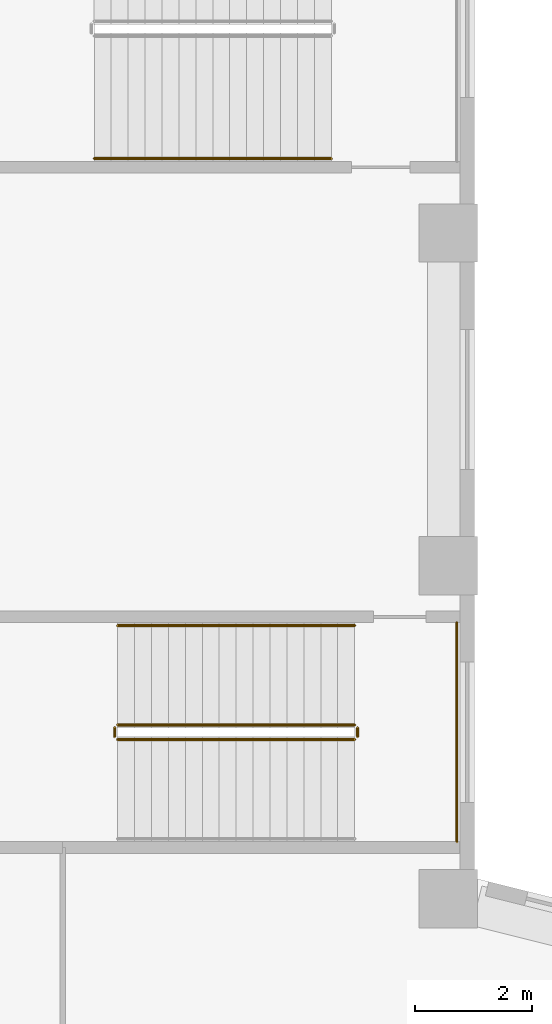
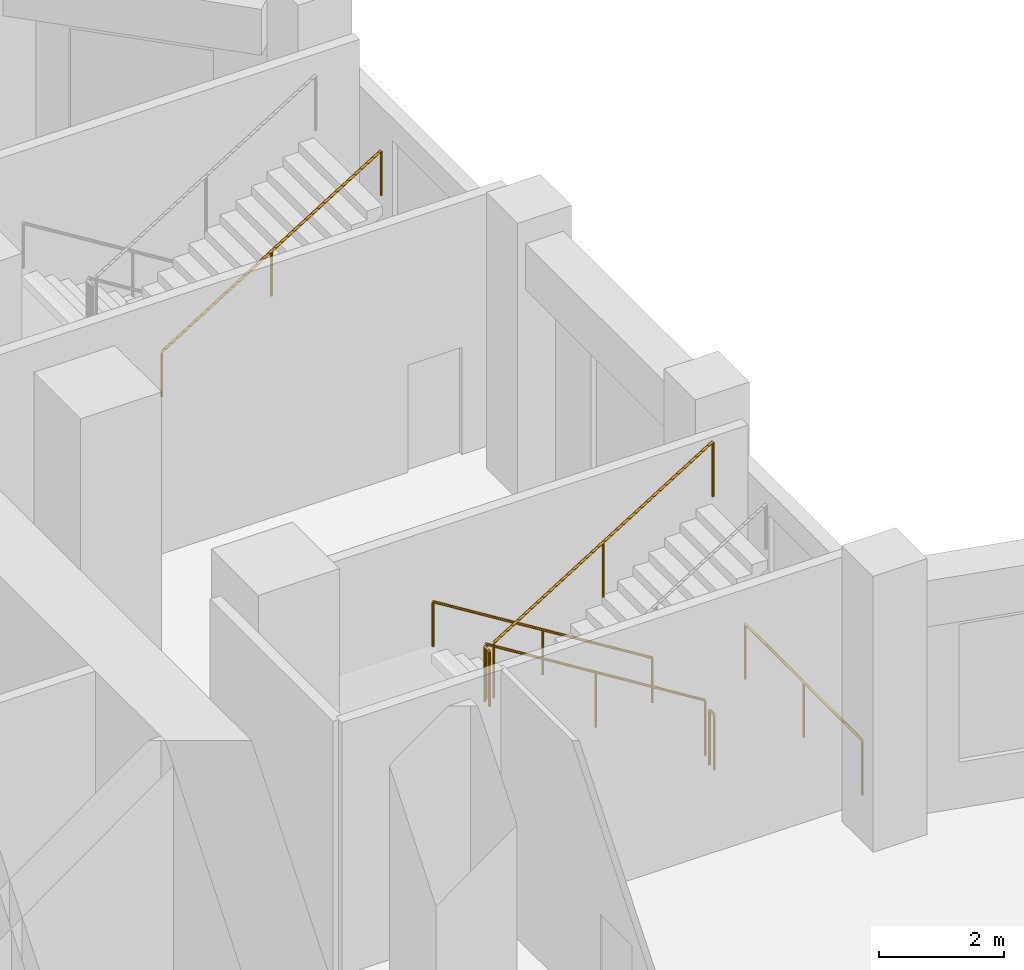
# One storey, part 20 of 23: 7 railings.
"""IFC4 building model written with IfcOpenShell, lengths in metres."""

from ifc_helpers import new_model, si_unit, direction, frame, origin, origin_2d, place, context, subcontext, project, spatial, circle, extrude, material, type_object, element, save


model = new_model("IFC4")

# Units and contexts
model_context = context("Model", 3, precision=1e-05, world=origin(), true_north=direction((0.0, 1.0)))
body_context = subcontext(model_context, "Body", "Model", "MODEL_VIEW")
ifc_project = project(units=[si_unit("LENGTHUNIT", "METRE"), si_unit("AREAUNIT", "SQUARE_METRE"), si_unit("VOLUMEUNIT", "CUBIC_METRE"), si_unit("PLANEANGLEUNIT", "RADIAN"), si_unit("MASSUNIT", "GRAM", prefix="KILO")], contexts=[model_context])

# Site, building, storey
site_placement = place(None, origin())
site = spatial("IfcSite", under=ifc_project, at=site_placement, CompositionType="ELEMENT")
building_placement = place(site_placement, origin())
building = spatial("IfcBuilding", under=site, at=building_placement, Name="Meshkara Civic Tower", CompositionType="ELEMENT")
storey_placement = place(building_placement, frame((0.0, 0.0, 7.199951171875)))
storey = spatial("IfcBuildingStorey", under=building, at=storey_placement, Name="L01", CompositionType="ELEMENT", Elevation=7.199951171875)

# Railings
ifc_material_1 = material(Name="Steel guard", Category="steel")
railing_type_1 = type_object("IfcRailingType", Name="Podium stair guard 1100", PredefinedType="GUARDRAIL", material=ifc_material_1)
railing_1_placement = place(storey_placement, frame((40.300048828125, 24.375, 0.179931640625)))
element("IfcRailing", 1, at=railing_1_placement, inside=storey, type_object=railing_type_1, Name="L01 PS5 stair guard 1", PredefinedType="GUARDRAIL", context=body_context, shape_type="SweptSolid", body=[
    extrude(circle(Radius=0.02392578125, at=origin_2d()), frame((0.0, 0.0, 1.076171875), z_axis=(-0.849641744969, 0.0, 0.527360318194), x_axis=(0.0, -1.0, 0.0)), (0.0, 0.0, 1.0), 4.778564453125),
    extrude(circle(Radius=0.02099609375, at=origin_2d()), origin(), (0.0, 0.0, 1.0), 1.052001953125),
    extrude(circle(Radius=0.02099609375, at=origin_2d()), frame((-2.030029296875, 0.0, 1.260009765625)), (0.0, 0.0, 1.0), 1.052001953125),
    extrude(circle(Radius=0.02099609375, at=origin_2d()), frame((-4.06005859375, 0.0, 2.52001953125)), (0.0, 0.0, 1.0), 1.052001953125),
])
railing_2_placement = place(storey_placement, frame((36.18994140625, 24.324951171875, 2.699951171875)))
element("IfcRailing", 2, at=railing_2_placement, inside=storey, type_object=railing_type_1, Name="L01 PS5 stair guard 2", PredefinedType="GUARDRAIL", context=body_context, shape_type="SweptSolid", body=[
    extrude(circle(Radius=0.02392578125, at=origin_2d()), frame((0.0, 0.0, 1.076171875), z_axis=(0.0, -1.0, 0.0), x_axis=(1.0, 0.0, 0.0)), (0.0, 0.0, 1.0), 0.14990234375),
    extrude(circle(Radius=0.02099609375, at=origin_2d()), origin(), (0.0, 0.0, 1.0), 1.052001953125),
    extrude(circle(Radius=0.02099609375, at=origin_2d()), frame((0.0, -0.14990234375, 0.0)), (0.0, 0.0, 1.0), 1.052001953125),
])
railing_3_placement = place(storey_placement, frame((36.239990234375, 24.125, 2.880126953125)))
element("IfcRailing", 3, at=railing_3_placement, inside=storey, type_object=railing_type_1, Name="L01 PS5 stair guard 3", PredefinedType="GUARDRAIL", context=body_context, shape_type="SweptSolid", body=[
    extrude(circle(Radius=0.02392578125, at=origin_2d()), frame((0.0, 0.0, 1.076171875), z_axis=(0.849641744969, 0.0, 0.527360318194), x_axis=(0.0, 1.0, 0.0)), (0.0, 0.0, 1.0), 4.778564453125),
    extrude(circle(Radius=0.02099609375, at=origin_2d()), origin(), (0.0, 0.0, 1.0), 1.052001953125),
    extrude(circle(Radius=0.02099609375, at=origin_2d()), frame((2.030029296875, 0.0, 1.260009765625)), (0.0, 0.0, 1.0), 1.052001953125),
    extrude(circle(Radius=0.02099609375, at=origin_2d()), frame((4.06005859375, 0.0, 2.52001953125)), (0.0, 0.0, 1.0), 1.052001953125),
])
railing_4_placement = place(storey_placement, frame((40.35009765625, 24.324951171875, 0.0)))
element("IfcRailing", 4, at=railing_4_placement, inside=storey, type_object=railing_type_1, Name="L01 PS5 stair guard 4", PredefinedType="GUARDRAIL", context=body_context, shape_type="SweptSolid", body=[
    extrude(circle(Radius=0.02392578125, at=origin_2d()), frame((0.0, 0.0, 1.076171875), z_axis=(0.0, -1.0, 0.0), x_axis=(1.0, 0.0, 0.0)), (0.0, 0.0, 1.0), 0.14990234375),
    extrude(circle(Radius=0.02099609375, at=origin_2d()), origin(), (0.0, 0.0, 1.0), 1.052001953125),
    extrude(circle(Radius=0.02099609375, at=origin_2d()), frame((0.0, -0.14990234375, 0.0)), (0.0, 0.0, 1.0), 1.052001953125),
])
railing_5_placement = place(storey_placement, frame((42.050048828125, 26.125, 0.0)))
element("IfcRailing", 5, at=railing_5_placement, inside=storey, type_object=railing_type_1, Name="L01 PS5 stair guard 5", PredefinedType="GUARDRAIL", context=body_context, shape_type="SweptSolid", body=[
    extrude(circle(Radius=0.02392578125, at=origin_2d()), frame((0.0, 0.0, 1.076171875), z_axis=(0.0, -1.0, 0.0), x_axis=(1.0, 0.0, 0.0)), (0.0, 0.0, 1.0), 3.75),
    extrude(circle(Radius=0.02099609375, at=origin_2d()), origin(), (0.0, 0.0, 1.0), 1.052001953125),
    extrude(circle(Radius=0.02099609375, at=origin_2d()), frame((0.0, -1.875, 0.0)), (0.0, 0.0, 1.0), 1.052001953125),
    extrude(circle(Radius=0.02099609375, at=origin_2d()), frame((0.0, -3.75, 0.0)), (0.0, 0.0, 1.0), 1.052001953125),
])
ifc_material_2 = material(Name="Steel handrail", Category="steel")
railing_type_2 = type_object("IfcRailingType", Name="Podium stair handrail 900", PredefinedType="HANDRAIL", material=ifc_material_2)
railing_6_placement = place(storey_placement, frame((40.300048828125, 26.074951171875, 0.179931640625)))
element("IfcRailing", 6, at=railing_6_placement, inside=storey, type_object=railing_type_2, Name="L01 PS5 stair handrail 1", PredefinedType="HANDRAIL", context=body_context, shape_type="SweptSolid", body=[
    extrude(circle(Radius=0.02392578125, at=origin_2d()), frame((0.0, 0.0, 0.8759765625), z_axis=(-0.849641744969, 0.0, 0.527360318194), x_axis=(0.0, -1.0, 0.0)), (0.0, 0.0, 1.0), 4.778564453125),
    extrude(circle(Radius=0.02099609375, at=origin_2d()), origin(), (0.0, 0.0, 1.0), 0.851806640625),
    extrude(circle(Radius=0.02099609375, at=origin_2d()), frame((-2.030029296875, 0.0, 1.260009765625)), (0.0, 0.0, 1.0), 0.851806640625),
    extrude(circle(Radius=0.02099609375, at=origin_2d()), frame((-4.06005859375, 0.0, 2.52001953125)), (0.0, 0.0, 1.0), 0.851806640625),
])
railing_7_placement = place(storey_placement, frame((35.840087890625, 34.074951171875, 2.880126953125)))
element("IfcRailing", 7, at=railing_7_placement, inside=storey, type_object=railing_type_2, Name="L01 PS6 stair handrail 2", PredefinedType="HANDRAIL", context=body_context, shape_type="SweptSolid", body=[
    extrude(circle(Radius=0.02392578125, at=origin_2d()), frame((0.0, 0.0, 0.8759765625), z_axis=(0.849627535208, 0.0, 0.527383211162), x_axis=(0.0, 1.0, 0.0)), (0.0, 0.0, 1.0), 4.7783203125),
    extrude(circle(Radius=0.02099609375, at=origin_2d()), origin(), (0.0, 0.0, 1.0), 0.851806640625),
    extrude(circle(Radius=0.02099609375, at=origin_2d()), frame((2.02978515625, 0.0, 1.260009765625)), (0.0, 0.0, 1.0), 0.851806640625),
    extrude(circle(Radius=0.02099609375, at=origin_2d()), frame((4.059814453125, 0.0, 2.52001953125)), (0.0, 0.0, 1.0), 0.851806640625),
])

save(model, "model.ifc")
